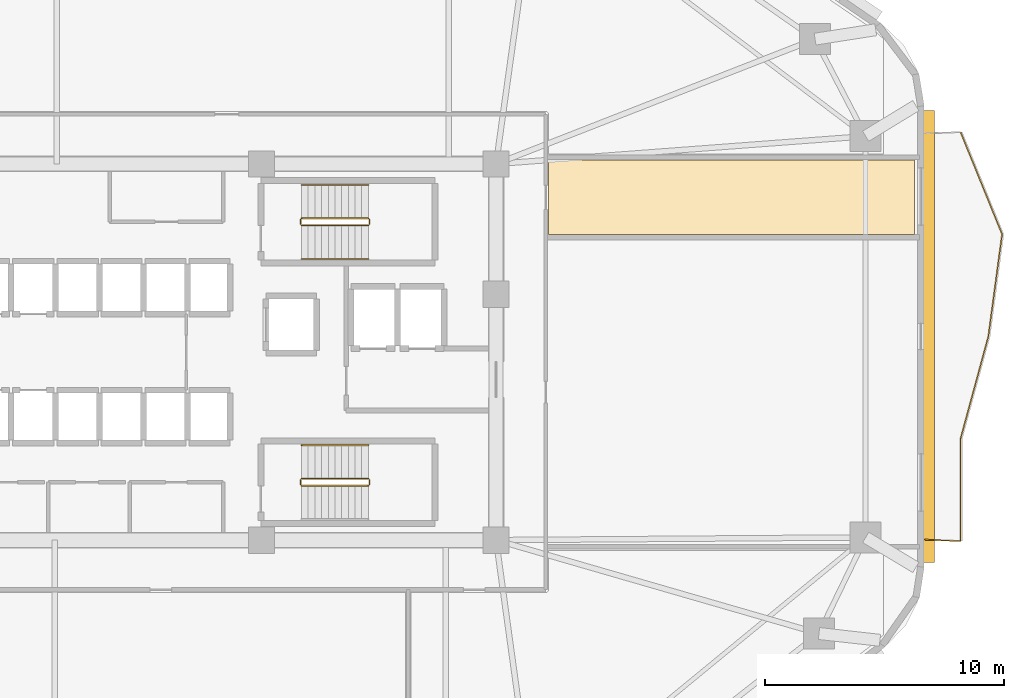
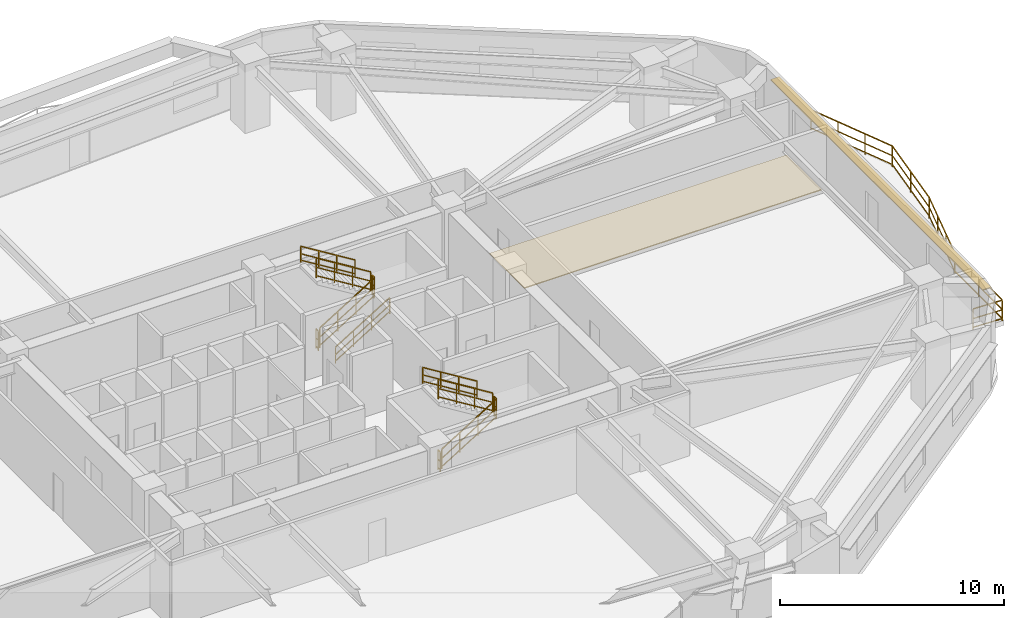
# One storey, part 12 of 13: 16 railings, 1 covering, 1 shading device.
"""IFC4 building model written with IfcOpenShell, lengths in metres."""

import ifcopenshell
import ifcopenshell.guid

model = None  # the IFC model being written
_history = None  # IfcOwnerHistory: only IFC2X3 demands one
_inside = {}  # id of a spatial element -> (the spatial element, [elements in it])
_under = {}  # id of a project, library or spatial element -> (it, [spatial elements below it])
_declared = {}  # id of a project -> (the project, [libraries it declares])
_typed = {}  # id of a type object -> (the type object, [elements of that type])
_made_of = {}  # id of a material, layer set ... -> (it, [elements and type objects made of it])


def new_model(schema):
    """Start an empty IFC model of exactly this schema.

    Asked for "IFC4X3", IfcOpenShell would pick the latest addendum, in which some entities
    have other attributes; the version numbers below select the first issue.
    IFC2X3 requires an IfcOwnerHistory on every rooted entity: one is made here for all.
    """
    global model, _history
    if schema == "IFC4X3":
        model = ifcopenshell.file(schema_version=(4, 3, 0, 0))
    else:
        model = ifcopenshell.file(schema=schema)
    _inside.clear()
    _under.clear()
    _declared.clear()
    _typed.clear()
    _made_of.clear()
    _history = None
    if model.schema == "IFC2X3":
        org = make("IfcOrganization", Name="unknown")
        user = make(
            "IfcPersonAndOrganization",
            ThePerson=make("IfcPerson", FamilyName="unknown"),
            TheOrganization=org,
        )
        app = make(
            "IfcApplication",
            ApplicationDeveloper=org,
            Version="unknown",
            ApplicationFullName="unknown",
            ApplicationIdentifier="unknown",
        )
        _history = make(
            "IfcOwnerHistory",
            OwningUser=user,
            OwningApplication=app,
            ChangeAction="ADDED",
            CreationDate=0,
        )
    return model


def make(cls, **values):
    """One entity of the class cls with the attributes given. An attribute that is None is left unset."""
    return model.create_entity(
        cls, **{name: value for name, value in values.items() if value is not None}
    )


def rooted(cls, **values):
    """An entity with a GlobalId (a new one), such as an element, a storey or a relation."""
    return make(cls, GlobalId=ifcopenshell.guid.new(), OwnerHistory=_history, **values)


def si_unit(unit_type, name, prefix=None):
    """IfcSIUnit, for example si_unit("LENGTHUNIT", "METRE", prefix="MILLI")."""
    return make("IfcSIUnit", UnitType=unit_type, Prefix=prefix, Name=name)


def assignment(units):
    """IfcUnitAssignment: the units of a project."""
    return None if units is None else make("IfcUnitAssignment", Units=units)


def point(xyz):
    """IfcCartesianPoint."""
    return None if xyz is None else make("IfcCartesianPoint", Coordinates=xyz)


def direction(xyz):
    """IfcDirection."""
    return None if xyz is None else make("IfcDirection", DirectionRatios=xyz)


def frame(location, z_axis=None, x_axis=None):
    """IfcAxis2Placement3D, a coordinate frame: its origin and axes. An axis left out is left unset."""
    return make(
        "IfcAxis2Placement3D",
        Location=point(location),
        Axis=direction(z_axis),
        RefDirection=direction(x_axis),
    )


def frame_2d(location, x_axis=None):
    """IfcAxis2Placement2D, a coordinate frame in the plane: its origin and x axis."""
    return make(
        "IfcAxis2Placement2D", Location=point(location), RefDirection=direction(x_axis)
    )


def origin():
    """The frame at (0, 0, 0) with its axes left unset."""
    return frame((0.0, 0.0, 0.0))


def origin_2d():
    """The frame at (0, 0) in the plane with its x axis left unset."""
    return frame_2d((0.0, 0.0))


def place(relative_to, where):
    """IfcLocalPlacement: puts the frame where relative to a parent placement (None: the world)."""
    return make(
        "IfcLocalPlacement", PlacementRelTo=relative_to, RelativePlacement=where
    )


def context(
    kind, dimensions, precision=None, world=None, true_north=None, identifier=None
):
    """IfcGeometricRepresentationContext, for example the 3D "Model" context."""
    return make(
        "IfcGeometricRepresentationContext",
        ContextIdentifier=identifier,
        ContextType=kind,
        CoordinateSpaceDimension=dimensions,
        Precision=precision,
        WorldCoordinateSystem=world,
        TrueNorth=true_north,
    )


def subcontext(parent, identifier, kind, view, scale=None):
    """IfcGeometricRepresentationSubContext, for example "Body" below "Model"."""
    return make(
        "IfcGeometricRepresentationSubContext",
        ContextIdentifier=identifier,
        ContextType=kind,
        ParentContext=parent,
        TargetScale=scale,
        TargetView=view,
    )


def project(units=None, contexts=None):
    """IfcProject with its units and contexts."""
    return rooted(
        "IfcProject",
        Name="project",
        RepresentationContexts=contexts,
        UnitsInContext=assignment(units),
    )


def spatial(cls, under=None, at=None, **own):
    """A site, building, storey or space (cls), placed at a placement, below another one or the project."""
    s = rooted(cls, ObjectPlacement=at, **own)
    if under is not None:
        _under.setdefault(under.id(), (under, []))[1].append(s)
    return s


def polyline(points):
    """IfcPolyline through the points."""
    return make("IfcPolyline", Points=[point(p) for p in points])


def profile(cls, at=None, kind="AREA", **sizes):
    """A parametric profile (cls). Its sizes go by their IFC names, for example OverallWidth=200.0."""
    return make(cls, ProfileType=kind, Position=at, **sizes)


def rectangle(**sizes):
    """IfcRectangleProfileDef."""
    return profile("IfcRectangleProfileDef", **sizes)


def outline(outer, holes=None, kind="AREA"):
    """IfcArbitraryClosedProfileDef: a profile drawn as a closed curve; with holes, ...WithVoids."""
    if holes is None:
        return make("IfcArbitraryClosedProfileDef", ProfileType=kind, OuterCurve=outer)
    return make(
        "IfcArbitraryProfileDefWithVoids",
        ProfileType=kind,
        OuterCurve=outer,
        InnerCurves=holes,
    )


def extrude(swept, where, along, depth):
    """IfcExtrudedAreaSolid: the profile swept, set in the frame where, extruded along a direction by depth."""
    return make(
        "IfcExtrudedAreaSolid",
        SweptArea=swept,
        Position=where,
        ExtrudedDirection=direction(along),
        Depth=depth,
    )


def shape(context_of_items, identifier, shape_type, items):
    """IfcShapeRepresentation: the items that make up one representation, for example the "Body"."""
    return make(
        "IfcShapeRepresentation",
        ContextOfItems=context_of_items,
        RepresentationIdentifier=identifier,
        RepresentationType=shape_type,
        Items=items,
    )


def material(Name=None, Category=None):
    """IfcMaterial."""
    return make("IfcMaterial", Name=Name, Category=Category)


def layer(
    of_material, thickness, ventilated=None, Name=None, Category=None, Priority=None
):
    """IfcMaterialLayer: one layer of a wall or slab, of a material (None: an air gap)."""
    return make(
        "IfcMaterialLayer",
        Material=of_material,
        LayerThickness=thickness,
        IsVentilated=ventilated,
        Name=Name,
        Category=Category,
        Priority=Priority,
    )


def layer_set(layers, Name=None):
    """IfcMaterialLayerSet."""
    return make("IfcMaterialLayerSet", MaterialLayers=layers, LayerSetName=Name)


def made_of(thing, what):
    """Note that an element or type object is made of a material, layer set ...; save() writes the relation."""
    if what is not None:
        _made_of.setdefault(what.id(), (what, []))[1].append(thing)
    return thing


def type_object(cls, material=None, **own):
    """A type object (cls), such as IfcWallType, which elements share."""
    return made_of(rooted(cls, **own), material)


def element(
    cls,
    number,
    at=None,
    inside=None,
    cuts=None,
    type_object=None,
    material=None,
    context=None,
    identifier="Body",
    shape_type=None,
    held_by="IfcProductDefinitionShape",
    body=None,
    shapes=None,
    **own,
):
    """One element of the class cls, such as IfcWall. Its Tag is "e" and its number.

    at: its placement. inside: the storey or other place that contains it. cuts: it is an
    opening in that element (IfcRelVoidsElement). A single representation is given by context,
    identifier, shape_type and body (its items); several are given by shapes. held_by: the class
    of the entity that holds the representations. save() writes the other relations.
    """
    e = rooted(cls, Tag="e%d" % number, ObjectPlacement=at, **own)
    if body is not None:
        shapes = [shape(context, identifier, shape_type, body)]
    if shapes is not None:
        e.Representation = make(held_by, Representations=shapes)
    if inside is not None:
        _inside.setdefault(inside.id(), (inside, []))[1].append(e)
    if cuts is not None:
        rooted(
            "IfcRelVoidsElement", RelatingBuildingElement=cuts, RelatedOpeningElement=e
        )
    if type_object is not None:
        _typed.setdefault(type_object.id(), (type_object, []))[1].append(e)
    return made_of(e, material)


def aggregate(whole, parts):
    """IfcRelAggregates: a whole, such as a stair, and the parts it consists of."""
    return rooted("IfcRelAggregates", RelatingObject=whole, RelatedObjects=parts)


def save(model, path):
    """Write the relations noted so far, then the file.

    IfcRelAggregates (storeys below a building ...), IfcRelContainedInSpatialStructure (elements
    in a storey), IfcRelDefinesByType, IfcRelAssociatesMaterial and IfcRelDeclares: one each for
    every whole, place, type object, material and project.
    """
    for whole, parts in _under.values():
        aggregate(whole, parts)
    for where, things in _inside.values():
        rooted(
            "IfcRelContainedInSpatialStructure",
            RelatedElements=things,
            RelatingStructure=where,
        )
    for kind, things in _typed.values():
        rooted("IfcRelDefinesByType", RelatedObjects=things, RelatingType=kind)
    for what, things in _made_of.values():
        rooted("IfcRelAssociatesMaterial", RelatedObjects=things, RelatingMaterial=what)
    for by, libraries in _declared.values():
        rooted("IfcRelDeclares", RelatingContext=by, RelatedDefinitions=libraries)
    model.write(path)


model = new_model("IFC4")

# Units and contexts
model_context = context("Model", 3, precision=1e-05, world=origin(), true_north=direction((0.0, 1.0)))
body_context = subcontext(model_context, "Body", "Model", "MODEL_VIEW")
ifc_project = project(units=[si_unit("LENGTHUNIT", "METRE"), si_unit("AREAUNIT", "SQUARE_METRE"), si_unit("VOLUMEUNIT", "CUBIC_METRE"), si_unit("PLANEANGLEUNIT", "RADIAN"), si_unit("MASSUNIT", "GRAM", prefix="KILO")], contexts=[model_context])

# Site, building, storey
site_placement = place(None, origin())
site = spatial("IfcSite", under=ifc_project, at=site_placement, CompositionType="ELEMENT")
building_placement = place(site_placement, origin())
building = spatial("IfcBuilding", under=site, at=building_placement, Name="Zulverin Broadcast Headquarters", CompositionType="ELEMENT")
storey_placement = place(building_placement, frame((0.0, 0.0, 70.60009765625)))
storey = spatial("IfcBuildingStorey", under=building, at=storey_placement, Name="L17", CompositionType="ELEMENT", Elevation=70.60009765625)

# Covering
ifc_material_1 = material(Name="Anti-static broadcast raised access flooring", Category="stone")
ifc_layer_1 = layer(ifc_material_1, 0.050048828125, Name="Anti-static broadcast raised access flooring", Category="stone")
ifc_layer_set_1 = layer_set([ifc_layer_1], Name="Anti-static broadcast raised access flooring")
covering_type = type_object("IfcCoveringType", Name="COV-FLR-RAISED", PredefinedType="FLOORING", material=ifc_layer_set_1)
covering_placement = place(storey_placement, origin())
element("IfcCovering", 1, at=covering_placement, inside=storey, type_object=covering_type, Name="L17 Broadcast Raised Access Flooring 02", PredefinedType="FLOORING", context=body_context, shape_type="SweptSolid", body=[
    extrude(outline(polyline([(50.471923828125, 30.1201171875), (65.800048828125, 30.1201171875), (65.800048828125, 33.23193359375), (50.471923828125, 33.23193359375), (50.471923828125, 30.1201171875)])), origin(), (0.0, 0.0, 1.0), 0.0498046875),
])

# Railings
ifc_material_2 = material(Name="Brushed stainless steel & laminated glass balustrade", Category="steel")
railing_type_1 = type_object("IfcRailingType", Name="RL-GUARD-1150", PredefinedType="GUARDRAIL", material=ifc_material_2)
railing_1_placement = place(storey_placement, frame((66.239990234375, 17.343505859375, 0.0)))
element("IfcRailing", 2, at=railing_1_placement, inside=storey, type_object=railing_type_1, Name="L17 Vertical-Forest Balcony Guardrail BAL_E Segment 01", PredefinedType="GUARDRAIL", context=body_context, shape_type="SweptSolid", body=[
    extrude(rectangle(XDim=0.048095703125, YDim=0.048095703125, at=origin_2d()), frame((0.0, 0.0, 1.1259765625), z_axis=(0.999174410196, -0.040626321628, 0.0), x_axis=(0.040626321628, 0.999174410196, 0.0)), (0.0, 0.0, 1.0), 1.46630859375),
    extrude(rectangle(XDim=0.0419921875, YDim=0.0419921875, at=origin_2d()), frame((0.0, 0.0, 0.597900390625), z_axis=(0.999174410196, -0.040626321628, 0.0), x_axis=(0.040626321628, 0.999174410196, 0.0)), (0.0, 0.0, 1.0), 1.46630859375),
    extrude(rectangle(XDim=0.0419921875, YDim=0.0419921875, at=origin_2d()), frame((0.0, 0.0, 0.1201171875), z_axis=(0.999174410196, -0.040626321628, 0.0), x_axis=(0.040626321628, 0.999174410196, 0.0)), (0.0, 0.0, 1.0), 1.46630859375),
    extrude(rectangle(XDim=0.0419921875, YDim=0.0419921875, at=origin_2d()), origin(), (0.0, 0.0, 1.0), 1.101806640625),
    extrude(rectangle(XDim=0.0419921875, YDim=0.0419921875, at=origin_2d()), frame((1.465087890625, -0.0595703125, 0.0)), (0.0, 0.0, 1.0), 1.101806640625),
])
railing_2_placement = place(storey_placement, frame((67.719970703125, 17.29833984375, 0.0)))
element("IfcRailing", 3, at=railing_2_placement, inside=storey, type_object=railing_type_1, Name="L17 Vertical-Forest Balcony Guardrail BAL_E Segment 02", PredefinedType="GUARDRAIL", context=body_context, shape_type="SweptSolid", body=[
    extrude(rectangle(XDim=0.048095703125, YDim=0.048095703125, at=origin_2d()), frame((0.0, 0.0, 1.1259765625), z_axis=(0.0, 1.0, 0.0), x_axis=(-1.0, 0.0, 0.0)), (0.0, 0.0, 1.0), 4.2529296875),
    extrude(rectangle(XDim=0.0419921875, YDim=0.0419921875, at=origin_2d()), frame((0.0, 0.0, 0.597900390625), z_axis=(0.0, 1.0, 0.0), x_axis=(-1.0, 0.0, 0.0)), (0.0, 0.0, 1.0), 4.2529296875),
    extrude(rectangle(XDim=0.0419921875, YDim=0.0419921875, at=origin_2d()), frame((0.0, 0.0, 0.1201171875), z_axis=(0.0, 1.0, 0.0), x_axis=(-1.0, 0.0, 0.0)), (0.0, 0.0, 1.0), 4.2529296875),
    extrude(rectangle(XDim=0.0419921875, YDim=0.0419921875, at=origin_2d()), origin(), (0.0, 0.0, 1.0), 1.101806640625),
    extrude(rectangle(XDim=0.0419921875, YDim=0.0419921875, at=origin_2d()), frame((0.0, 2.12646484375, 0.0)), (0.0, 0.0, 1.0), 1.101806640625),
    extrude(rectangle(XDim=0.0419921875, YDim=0.0419921875, at=origin_2d()), frame((0.0, 4.2529296875, 0.0)), (0.0, 0.0, 1.0), 1.101806640625),
])
railing_3_placement = place(storey_placement, frame((67.723876953125, 21.580810546875, 0.0)))
element("IfcRailing", 4, at=railing_3_placement, inside=storey, type_object=railing_type_1, Name="L17 Vertical-Forest Balcony Guardrail BAL_E Segment 03", PredefinedType="GUARDRAIL", context=body_context, shape_type="SweptSolid", body=[
    extrude(rectangle(XDim=0.048095703125, YDim=0.048095703125, at=origin_2d()), frame((0.0, 0.0, 1.1259765625), z_axis=(0.262358125578, 0.964970576724, 0.0), x_axis=(-0.964970576724, 0.262358125578, 0.0)), (0.0, 0.0, 1.0), 4.407958984375),
    extrude(rectangle(XDim=0.0419921875, YDim=0.0419921875, at=origin_2d()), frame((0.0, 0.0, 0.597900390625), z_axis=(0.262358125578, 0.964970576724, 0.0), x_axis=(-0.964970576724, 0.262358125578, 0.0)), (0.0, 0.0, 1.0), 4.407958984375),
    extrude(rectangle(XDim=0.0419921875, YDim=0.0419921875, at=origin_2d()), frame((0.0, 0.0, 0.1201171875), z_axis=(0.262358125578, 0.964970576724, 0.0), x_axis=(-0.964970576724, 0.262358125578, 0.0)), (0.0, 0.0, 1.0), 4.407958984375),
    extrude(rectangle(XDim=0.0419921875, YDim=0.0419921875, at=origin_2d()), origin(), (0.0, 0.0, 1.0), 1.101806640625),
    extrude(rectangle(XDim=0.0419921875, YDim=0.0419921875, at=origin_2d()), frame((0.385498046875, 1.41796875, 0.0)), (0.0, 0.0, 1.0), 1.101806640625),
    extrude(rectangle(XDim=0.0419921875, YDim=0.0419921875, at=origin_2d()), frame((0.77099609375, 2.835693359375, 0.0)), (0.0, 0.0, 1.0), 1.101806640625),
    extrude(rectangle(XDim=0.0419921875, YDim=0.0419921875, at=origin_2d()), frame((1.156494140625, 4.253662109375, 0.0)), (0.0, 0.0, 1.0), 1.101806640625),
])
railing_4_placement = place(storey_placement, frame((68.88623046875, 25.86376953125, 0.0)))
element("IfcRailing", 5, at=railing_4_placement, inside=storey, type_object=railing_type_1, Name="L17 Vertical-Forest Balcony Guardrail BAL_E Segment 04", PredefinedType="GUARDRAIL", context=body_context, shape_type="SweptSolid", body=[
    extrude(rectangle(XDim=0.048095703125, YDim=0.048095703125, at=origin_2d()), frame((0.0, 0.0, 1.1259765625), z_axis=(0.133300250584, 0.991075700032, 0.0), x_axis=(-0.991075700032, 0.133300250584, 0.0)), (0.0, 0.0, 1.0), 4.291259765625),
    extrude(rectangle(XDim=0.0419921875, YDim=0.0419921875, at=origin_2d()), frame((0.0, 0.0, 0.597900390625), z_axis=(0.133300250584, 0.991075700032, 0.0), x_axis=(-0.991075700032, 0.133300250584, 0.0)), (0.0, 0.0, 1.0), 4.291259765625),
    extrude(rectangle(XDim=0.0419921875, YDim=0.0419921875, at=origin_2d()), frame((0.0, 0.0, 0.1201171875), z_axis=(0.133300250584, 0.991075700032, 0.0), x_axis=(-0.991075700032, 0.133300250584, 0.0)), (0.0, 0.0, 1.0), 4.291259765625),
    extrude(rectangle(XDim=0.0419921875, YDim=0.0419921875, at=origin_2d()), origin(), (0.0, 0.0, 1.0), 1.101806640625),
    extrude(rectangle(XDim=0.0419921875, YDim=0.0419921875, at=origin_2d()), frame((0.2861328125, 2.12646484375, 0.0)), (0.0, 0.0, 1.0), 1.101806640625),
    extrude(rectangle(XDim=0.0419921875, YDim=0.0419921875, at=origin_2d()), frame((0.572021484375, 4.2529296875, 0.0)), (0.0, 0.0, 1.0), 1.101806640625),
])
railing_5_placement = place(storey_placement, frame((69.45458984375, 30.1455078125, 0.0)))
element("IfcRailing", 6, at=railing_5_placement, inside=storey, type_object=railing_type_1, Name="L17 Vertical-Forest Balcony Guardrail BAL_E Segment 05", PredefinedType="GUARDRAIL", context=body_context, shape_type="SweptSolid", body=[
    extrude(rectangle(XDim=0.048095703125, YDim=0.048095703125, at=origin_2d()), frame((0.0, 0.0, 1.1259765625), z_axis=(-0.376444057869, 0.926439351115, 0.0), x_axis=(-0.926439351115, -0.376444057869, 0.0)), (0.0, 0.0, 1.0), 4.593017578125),
    extrude(rectangle(XDim=0.0419921875, YDim=0.0419921875, at=origin_2d()), frame((0.0, 0.0, 0.597900390625), z_axis=(-0.376444057869, 0.926439351115, 0.0), x_axis=(-0.926439351115, -0.376444057869, 0.0)), (0.0, 0.0, 1.0), 4.593017578125),
    extrude(rectangle(XDim=0.0419921875, YDim=0.0419921875, at=origin_2d()), frame((0.0, 0.0, 0.1201171875), z_axis=(-0.376444057869, 0.926439351115, 0.0), x_axis=(-0.926439351115, -0.376444057869, 0.0)), (0.0, 0.0, 1.0), 4.593017578125),
    extrude(rectangle(XDim=0.0419921875, YDim=0.0419921875, at=origin_2d()), origin(), (0.0, 0.0, 1.0), 1.101806640625),
    extrude(rectangle(XDim=0.0419921875, YDim=0.0419921875, at=origin_2d()), frame((-0.576416015625, 1.41845703125, 0.0)), (0.0, 0.0, 1.0), 1.101806640625),
    extrude(rectangle(XDim=0.0419921875, YDim=0.0419921875, at=origin_2d()), frame((-1.152587890625, 2.836669921875, 0.0)), (0.0, 0.0, 1.0), 1.101806640625),
    extrude(rectangle(XDim=0.0419921875, YDim=0.0419921875, at=origin_2d()), frame((-1.72900390625, 4.255126953125, 0.0)), (0.0, 0.0, 1.0), 1.101806640625),
])
ifc_material_3 = material(Name="Painted galvanized steel tubular guardrail S355JR", Category="steel")
railing_type_2 = type_object("IfcRailingType", Name="RL-ST-GUARD", PredefinedType="GUARDRAIL", material=ifc_material_3)
railing_6_placement = place(storey_placement, frame((40.1298828125, 30.5, 0.172607421875)))
element("IfcRailing", 7, at=railing_6_placement, inside=storey, type_object=railing_type_2, Name="L17 ST-1 stair guard 1", PredefinedType="GUARDRAIL", context=body_context, shape_type="SweptSolid", body=[
    extrude(rectangle(XDim=0.048095703125, YDim=0.048095703125, at=origin_2d()), frame((0.0, 0.0, 1.076171875), z_axis=(0.851089632645, 0.0, 0.525020415988), x_axis=(0.0, 1.0, 0.0)), (0.0, 0.0, 1.0), 3.2900390625),
    extrude(rectangle(XDim=0.0419921875, YDim=0.0419921875, at=origin_2d()), frame((0.0, 0.0, 0.572021484375), z_axis=(0.851089632645, 0.0, 0.525020415988), x_axis=(0.0, 1.0, 0.0)), (0.0, 0.0, 1.0), 3.2900390625),
    extrude(rectangle(XDim=0.0419921875, YDim=0.0419921875, at=origin_2d()), frame((0.0, 0.0, 0.1201171875), z_axis=(0.851089632645, 0.0, 0.525020415988), x_axis=(0.0, 1.0, 0.0)), (0.0, 0.0, 1.0), 3.2900390625),
    extrude(rectangle(XDim=0.0419921875, YDim=0.0419921875, at=origin_2d()), origin(), (0.0, 0.0, 1.0), 1.052001953125),
    extrude(rectangle(XDim=0.0419921875, YDim=0.0419921875, at=origin_2d()), frame((0.933349609375, 0.0, 0.57568359375)), (0.0, 0.0, 1.0), 1.052001953125),
    extrude(rectangle(XDim=0.0419921875, YDim=0.0419921875, at=origin_2d()), frame((1.86669921875, 0.0, 1.151611328125)), (0.0, 0.0, 1.0), 1.052001953125),
    extrude(rectangle(XDim=0.0419921875, YDim=0.0419921875, at=origin_2d()), frame((2.800048828125, 0.0, 1.727294921875)), (0.0, 0.0, 1.0), 1.052001953125),
])
railing_7_placement = place(storey_placement, frame((42.97998046875, 30.550048828125, 1.89990234375)))
element("IfcRailing", 8, at=railing_7_placement, inside=storey, type_object=railing_type_2, Name="L17 ST-1 stair guard 2", PredefinedType="GUARDRAIL", context=body_context, shape_type="SweptSolid", body=[
    extrude(rectangle(XDim=0.048095703125, YDim=0.048095703125, at=origin_2d()), frame((0.0, 0.0, 1.076171875), z_axis=(0.0, 1.0, 0.0), x_axis=(-1.0, 0.0, 0.0)), (0.0, 0.0, 1.0), 0.199951171875),
    extrude(rectangle(XDim=0.0419921875, YDim=0.0419921875, at=origin_2d()), frame((0.0, 0.0, 0.572021484375), z_axis=(0.0, 1.0, 0.0), x_axis=(-1.0, 0.0, 0.0)), (0.0, 0.0, 1.0), 0.199951171875),
    extrude(rectangle(XDim=0.0419921875, YDim=0.0419921875, at=origin_2d()), frame((0.0, 0.0, 0.1201171875), z_axis=(0.0, 1.0, 0.0), x_axis=(-1.0, 0.0, 0.0)), (0.0, 0.0, 1.0), 0.199951171875),
    extrude(rectangle(XDim=0.0419921875, YDim=0.0419921875, at=origin_2d()), origin(), (0.0, 0.0, 1.0), 1.052001953125),
    extrude(rectangle(XDim=0.0419921875, YDim=0.0419921875, at=origin_2d()), frame((0.0, 0.199951171875, 0.0)), (0.0, 0.0, 1.0), 1.052001953125),
])
railing_8_placement = place(storey_placement, frame((42.929931640625, 30.800048828125, 2.072509765625)))
element("IfcRailing", 9, at=railing_8_placement, inside=storey, type_object=railing_type_2, Name="L17 ST-1 stair guard 3", PredefinedType="GUARDRAIL", context=body_context, shape_type="SweptSolid", body=[
    extrude(rectangle(XDim=0.048095703125, YDim=0.048095703125, at=origin_2d()), frame((0.0, 0.0, 1.076171875), z_axis=(-0.851089632645, 0.0, 0.525020415988), x_axis=(0.0, -1.0, 0.0)), (0.0, 0.0, 1.0), 3.2900390625),
    extrude(rectangle(XDim=0.0419921875, YDim=0.0419921875, at=origin_2d()), frame((0.0, 0.0, 0.572021484375), z_axis=(-0.851089632645, 0.0, 0.525020415988), x_axis=(0.0, -1.0, 0.0)), (0.0, 0.0, 1.0), 3.2900390625),
    extrude(rectangle(XDim=0.0419921875, YDim=0.0419921875, at=origin_2d()), frame((0.0, 0.0, 0.1201171875), z_axis=(-0.851089632645, 0.0, 0.525020415988), x_axis=(0.0, -1.0, 0.0)), (0.0, 0.0, 1.0), 3.2900390625),
    extrude(rectangle(XDim=0.0419921875, YDim=0.0419921875, at=origin_2d()), origin(), (0.0, 0.0, 1.0), 1.052001953125),
    extrude(rectangle(XDim=0.0419921875, YDim=0.0419921875, at=origin_2d()), frame((-0.933349609375, 0.0, 0.57568359375)), (0.0, 0.0, 1.0), 1.052001953125),
    extrude(rectangle(XDim=0.0419921875, YDim=0.0419921875, at=origin_2d()), frame((-1.86669921875, 0.0, 1.151611328125)), (0.0, 0.0, 1.0), 1.052001953125),
    extrude(rectangle(XDim=0.0419921875, YDim=0.0419921875, at=origin_2d()), frame((-2.800048828125, 0.0, 1.727294921875)), (0.0, 0.0, 1.0), 1.052001953125),
])
railing_9_placement = place(storey_placement, frame((40.080078125, 30.550048828125, 0.0)))
element("IfcRailing", 10, at=railing_9_placement, inside=storey, type_object=railing_type_2, Name="L17 ST-1 stair guard 4", PredefinedType="GUARDRAIL", context=body_context, shape_type="SweptSolid", body=[
    extrude(rectangle(XDim=0.048095703125, YDim=0.048095703125, at=origin_2d()), frame((0.0, 0.0, 1.076171875), z_axis=(0.0, 1.0, 0.0), x_axis=(-1.0, 0.0, 0.0)), (0.0, 0.0, 1.0), 0.199951171875),
    extrude(rectangle(XDim=0.0419921875, YDim=0.0419921875, at=origin_2d()), frame((0.0, 0.0, 0.572021484375), z_axis=(0.0, 1.0, 0.0), x_axis=(-1.0, 0.0, 0.0)), (0.0, 0.0, 1.0), 0.199951171875),
    extrude(rectangle(XDim=0.0419921875, YDim=0.0419921875, at=origin_2d()), frame((0.0, 0.0, 0.1201171875), z_axis=(0.0, 1.0, 0.0), x_axis=(-1.0, 0.0, 0.0)), (0.0, 0.0, 1.0), 0.199951171875),
    extrude(rectangle(XDim=0.0419921875, YDim=0.0419921875, at=origin_2d()), origin(), (0.0, 0.0, 1.0), 1.052001953125),
    extrude(rectangle(XDim=0.0419921875, YDim=0.0419921875, at=origin_2d()), frame((0.0, 0.199951171875, 0.0)), (0.0, 0.0, 1.0), 1.052001953125),
])
railing_10_placement = place(storey_placement, frame((40.1298828125, 19.60009765625, 0.172607421875)))
element("IfcRailing", 11, at=railing_10_placement, inside=storey, type_object=railing_type_2, Name="L17 ST-2 stair guard 1", PredefinedType="GUARDRAIL", context=body_context, shape_type="SweptSolid", body=[
    extrude(rectangle(XDim=0.048095703125, YDim=0.048095703125, at=origin_2d()), frame((0.0, 0.0, 1.076171875), z_axis=(0.851089632645, 0.0, 0.525020415988), x_axis=(0.0, 1.0, 0.0)), (0.0, 0.0, 1.0), 3.2900390625),
    extrude(rectangle(XDim=0.0419921875, YDim=0.0419921875, at=origin_2d()), frame((0.0, 0.0, 0.572021484375), z_axis=(0.851089632645, 0.0, 0.525020415988), x_axis=(0.0, 1.0, 0.0)), (0.0, 0.0, 1.0), 3.2900390625),
    extrude(rectangle(XDim=0.0419921875, YDim=0.0419921875, at=origin_2d()), frame((0.0, 0.0, 0.1201171875), z_axis=(0.851089632645, 0.0, 0.525020415988), x_axis=(0.0, 1.0, 0.0)), (0.0, 0.0, 1.0), 3.2900390625),
    extrude(rectangle(XDim=0.0419921875, YDim=0.0419921875, at=origin_2d()), origin(), (0.0, 0.0, 1.0), 1.052001953125),
    extrude(rectangle(XDim=0.0419921875, YDim=0.0419921875, at=origin_2d()), frame((0.933349609375, 0.0, 0.57568359375)), (0.0, 0.0, 1.0), 1.052001953125),
    extrude(rectangle(XDim=0.0419921875, YDim=0.0419921875, at=origin_2d()), frame((1.86669921875, 0.0, 1.151611328125)), (0.0, 0.0, 1.0), 1.052001953125),
    extrude(rectangle(XDim=0.0419921875, YDim=0.0419921875, at=origin_2d()), frame((2.800048828125, 0.0, 1.727294921875)), (0.0, 0.0, 1.0), 1.052001953125),
])
railing_11_placement = place(storey_placement, frame((42.97998046875, 19.64990234375, 1.89990234375)))
element("IfcRailing", 12, at=railing_11_placement, inside=storey, type_object=railing_type_2, Name="L17 ST-2 stair guard 2", PredefinedType="GUARDRAIL", context=body_context, shape_type="SweptSolid", body=[
    extrude(rectangle(XDim=0.048095703125, YDim=0.048095703125, at=origin_2d()), frame((0.0, 0.0, 1.076171875), z_axis=(0.0, 1.0, 0.0), x_axis=(-1.0, 0.0, 0.0)), (0.0, 0.0, 1.0), 0.2001953125),
    extrude(rectangle(XDim=0.0419921875, YDim=0.0419921875, at=origin_2d()), frame((0.0, 0.0, 0.572021484375), z_axis=(0.0, 1.0, 0.0), x_axis=(-1.0, 0.0, 0.0)), (0.0, 0.0, 1.0), 0.2001953125),
    extrude(rectangle(XDim=0.0419921875, YDim=0.0419921875, at=origin_2d()), frame((0.0, 0.0, 0.1201171875), z_axis=(0.0, 1.0, 0.0), x_axis=(-1.0, 0.0, 0.0)), (0.0, 0.0, 1.0), 0.2001953125),
    extrude(rectangle(XDim=0.0419921875, YDim=0.0419921875, at=origin_2d()), origin(), (0.0, 0.0, 1.0), 1.052001953125),
    extrude(rectangle(XDim=0.0419921875, YDim=0.0419921875, at=origin_2d()), frame((0.0, 0.2001953125, 0.0)), (0.0, 0.0, 1.0), 1.052001953125),
])
railing_12_placement = place(storey_placement, frame((42.929931640625, 19.89990234375, 2.072509765625)))
element("IfcRailing", 13, at=railing_12_placement, inside=storey, type_object=railing_type_2, Name="L17 ST-2 stair guard 3", PredefinedType="GUARDRAIL", context=body_context, shape_type="SweptSolid", body=[
    extrude(rectangle(XDim=0.048095703125, YDim=0.048095703125, at=origin_2d()), frame((0.0, 0.0, 1.076171875), z_axis=(-0.851089632645, 0.0, 0.525020415988), x_axis=(0.0, -1.0, 0.0)), (0.0, 0.0, 1.0), 3.2900390625),
    extrude(rectangle(XDim=0.0419921875, YDim=0.0419921875, at=origin_2d()), frame((0.0, 0.0, 0.572021484375), z_axis=(-0.851089632645, 0.0, 0.525020415988), x_axis=(0.0, -1.0, 0.0)), (0.0, 0.0, 1.0), 3.2900390625),
    extrude(rectangle(XDim=0.0419921875, YDim=0.0419921875, at=origin_2d()), frame((0.0, 0.0, 0.1201171875), z_axis=(-0.851089632645, 0.0, 0.525020415988), x_axis=(0.0, -1.0, 0.0)), (0.0, 0.0, 1.0), 3.2900390625),
    extrude(rectangle(XDim=0.0419921875, YDim=0.0419921875, at=origin_2d()), origin(), (0.0, 0.0, 1.0), 1.052001953125),
    extrude(rectangle(XDim=0.0419921875, YDim=0.0419921875, at=origin_2d()), frame((-0.933349609375, 0.0, 0.57568359375)), (0.0, 0.0, 1.0), 1.052001953125),
    extrude(rectangle(XDim=0.0419921875, YDim=0.0419921875, at=origin_2d()), frame((-1.86669921875, 0.0, 1.151611328125)), (0.0, 0.0, 1.0), 1.052001953125),
    extrude(rectangle(XDim=0.0419921875, YDim=0.0419921875, at=origin_2d()), frame((-2.800048828125, 0.0, 1.727294921875)), (0.0, 0.0, 1.0), 1.052001953125),
])
railing_13_placement = place(storey_placement, frame((40.080078125, 19.64990234375, 0.0)))
element("IfcRailing", 14, at=railing_13_placement, inside=storey, type_object=railing_type_2, Name="L17 ST-2 stair guard 4", PredefinedType="GUARDRAIL", context=body_context, shape_type="SweptSolid", body=[
    extrude(rectangle(XDim=0.048095703125, YDim=0.048095703125, at=origin_2d()), frame((0.0, 0.0, 1.076171875), z_axis=(0.0, 1.0, 0.0), x_axis=(-1.0, 0.0, 0.0)), (0.0, 0.0, 1.0), 0.2001953125),
    extrude(rectangle(XDim=0.0419921875, YDim=0.0419921875, at=origin_2d()), frame((0.0, 0.0, 0.572021484375), z_axis=(0.0, 1.0, 0.0), x_axis=(-1.0, 0.0, 0.0)), (0.0, 0.0, 1.0), 0.2001953125),
    extrude(rectangle(XDim=0.0419921875, YDim=0.0419921875, at=origin_2d()), frame((0.0, 0.0, 0.1201171875), z_axis=(0.0, 1.0, 0.0), x_axis=(-1.0, 0.0, 0.0)), (0.0, 0.0, 1.0), 0.2001953125),
    extrude(rectangle(XDim=0.0419921875, YDim=0.0419921875, at=origin_2d()), origin(), (0.0, 0.0, 1.0), 1.052001953125),
    extrude(rectangle(XDim=0.0419921875, YDim=0.0419921875, at=origin_2d()), frame((0.0, 0.2001953125, 0.0)), (0.0, 0.0, 1.0), 1.052001953125),
])
ifc_material_4 = material(Name="Brushed stainless steel 48 mm handrail", Category="steel")
railing_type_3 = type_object("IfcRailingType", Name="RL-ST-HAND", PredefinedType="HANDRAIL", material=ifc_material_4)
railing_14_placement = place(storey_placement, frame((40.1298828125, 29.10009765625, 0.172607421875)))
element("IfcRailing", 15, at=railing_14_placement, inside=storey, type_object=railing_type_3, Name="L17 ST-1 stair handrail 1", PredefinedType="HANDRAIL", context=body_context, shape_type="SweptSolid", body=[
    extrude(rectangle(XDim=0.048095703125, YDim=0.048095703125, at=origin_2d()), frame((0.0, 0.0, 0.8759765625), z_axis=(0.851089632645, 0.0, 0.525020415988), x_axis=(0.0, 1.0, 0.0)), (0.0, 0.0, 1.0), 3.2900390625),
    extrude(rectangle(XDim=0.0419921875, YDim=0.0419921875, at=origin_2d()), frame((0.0, 0.0, 0.468017578125), z_axis=(0.851089632645, 0.0, 0.525020415988), x_axis=(0.0, 1.0, 0.0)), (0.0, 0.0, 1.0), 3.2900390625),
    extrude(rectangle(XDim=0.0419921875, YDim=0.0419921875, at=origin_2d()), frame((0.0, 0.0, 0.1201171875), z_axis=(0.851089632645, 0.0, 0.525020415988), x_axis=(0.0, 1.0, 0.0)), (0.0, 0.0, 1.0), 3.2900390625),
    extrude(rectangle(XDim=0.0419921875, YDim=0.0419921875, at=origin_2d()), origin(), (0.0, 0.0, 1.0), 0.851806640625),
    extrude(rectangle(XDim=0.0419921875, YDim=0.0419921875, at=origin_2d()), frame((0.933349609375, 0.0, 0.57568359375)), (0.0, 0.0, 1.0), 0.851806640625),
    extrude(rectangle(XDim=0.0419921875, YDim=0.0419921875, at=origin_2d()), frame((1.86669921875, 0.0, 1.151611328125)), (0.0, 0.0, 1.0), 0.851806640625),
    extrude(rectangle(XDim=0.0419921875, YDim=0.0419921875, at=origin_2d()), frame((2.800048828125, 0.0, 1.727294921875)), (0.0, 0.0, 1.0), 0.851806640625),
])
for number, where, name in (
    (16, (42.929931640625, 32.199951171875, 2.072509765625), "L17 ST-1 stair handrail 2"),
    (17, (42.929931640625, 21.300048828125, 2.072509765625), "L17 ST-2 stair handrail 2"),
):
    element("IfcRailing", number, at=place(storey_placement, frame(where)), inside=storey, type_object=railing_type_3, Name=name, PredefinedType="HANDRAIL", context=body_context, shape_type="SweptSolid", body=[
        extrude(rectangle(XDim=0.048095703125, YDim=0.048095703125, at=origin_2d()), frame((0.0, 0.0, 0.8759765625), z_axis=(-0.851089632645, 0.0, 0.525020415988), x_axis=(0.0, -1.0, 0.0)), (0.0, 0.0, 1.0), 3.2900390625),
        extrude(rectangle(XDim=0.0419921875, YDim=0.0419921875, at=origin_2d()), frame((0.0, 0.0, 0.468017578125), z_axis=(-0.851089632645, 0.0, 0.525020415988), x_axis=(0.0, -1.0, 0.0)), (0.0, 0.0, 1.0), 3.2900390625),
        extrude(rectangle(XDim=0.0419921875, YDim=0.0419921875, at=origin_2d()), frame((0.0, 0.0, 0.1201171875), z_axis=(-0.851089632645, 0.0, 0.525020415988), x_axis=(0.0, -1.0, 0.0)), (0.0, 0.0, 1.0), 3.2900390625),
        extrude(rectangle(XDim=0.0419921875, YDim=0.0419921875, at=origin_2d()), origin(), (0.0, 0.0, 1.0), 0.851806640625),
        extrude(rectangle(XDim=0.0419921875, YDim=0.0419921875, at=origin_2d()), frame((-0.933349609375, 0.0, 0.57568359375)), (0.0, 0.0, 1.0), 0.851806640625),
        extrude(rectangle(XDim=0.0419921875, YDim=0.0419921875, at=origin_2d()), frame((-1.86669921875, 0.0, 1.151611328125)), (0.0, 0.0, 1.0), 0.851806640625),
        extrude(rectangle(XDim=0.0419921875, YDim=0.0419921875, at=origin_2d()), frame((-2.800048828125, 0.0, 1.727294921875)), (0.0, 0.0, 1.0), 0.851806640625),
    ])

# Shading device
ifc_material_5 = material(Name="Anodized pale-metal aluminium sunshade", Category="aluminium")
ifc_layer_2 = layer(ifc_material_5, 0.06005859375, Name="Anodized pale-metal aluminium sunshade", Category="aluminium")
ifc_layer_set_2 = layer_set([ifc_layer_2], Name="Anodized pale-metal aluminium sunshade")
shading_device_type = type_object("IfcShadingDeviceType", Name="SS-01_PALE_METAL_ALUMINIUM_SUNSHADE", PredefinedType="USERDEFINED", material=ifc_layer_set_2)
shading_device_placement = place(storey_placement, frame((66.39990234375, 25.848876953125, 2.7099609375), z_axis=(0.0, 0.0, 1.0), x_axis=(0.0, 1.0, 0.0)))
element("IfcShadingDevice", 18, at=shading_device_placement, inside=storey, type_object=shading_device_type, Name="L17 Horizontal Pale-Metal Sunshade Band 3", ObjectType="SUNSHADE", PredefinedType="USERDEFINED", context=body_context, shape_type="SweptSolid", body=[
    extrude(rectangle(XDim=18.93115234375, YDim=0.449951171875, at=origin_2d()), origin(), (0.0, 0.0, 1.0), 0.06005859375),
])

save(model, "model.ifc")
